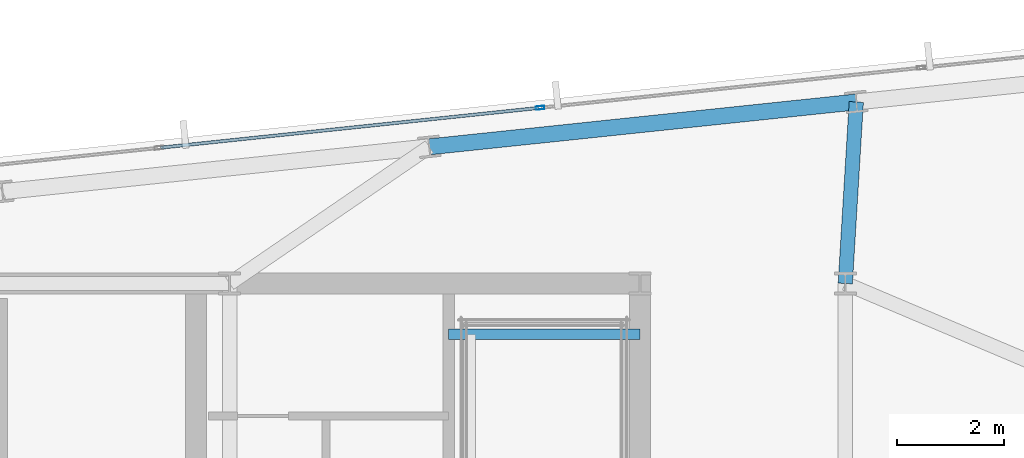
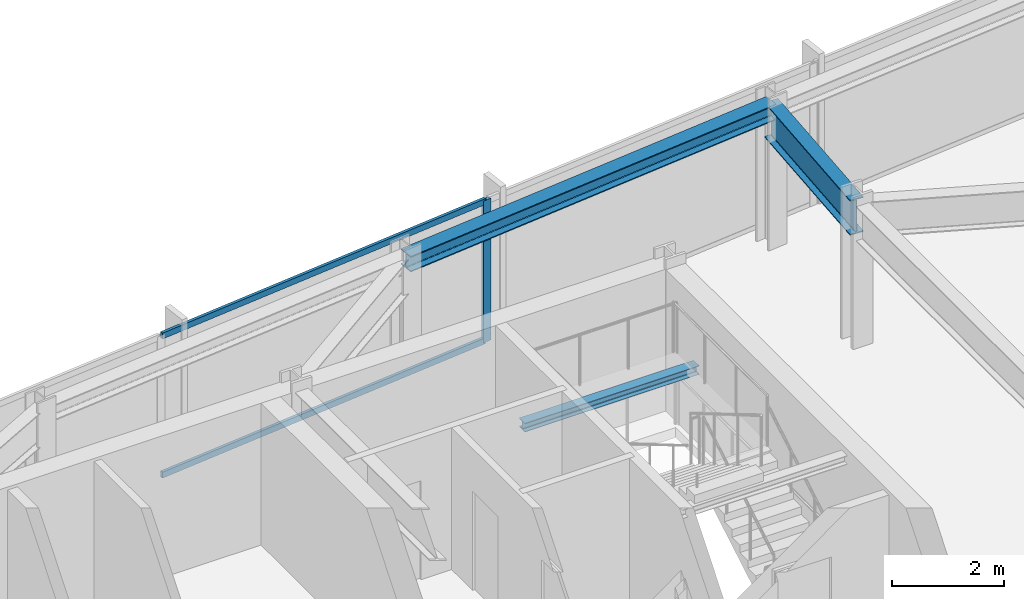
# One storey, part 23 of 32: 3 beams, 3 members, 1 element without a shape of its own.
"""IFC4 building model written with IfcOpenShell, lengths in metres."""

from ifc_helpers import new_model, si_unit, direction, frame, origin, origin_2d, place, context, subcontext, project, spatial, hollow_rectangle, i_section, extrude, material, material_profile, profile_set, type_object, element, aggregate, save


model = new_model("IFC4")

# Units and contexts
model_context = context("Model", 3, precision=1e-05, world=origin(), true_north=direction((0.0, 1.0)))
body_context = subcontext(model_context, "Body", "Model", "MODEL_VIEW")
ifc_project = project(units=[si_unit("LENGTHUNIT", "METRE"), si_unit("AREAUNIT", "SQUARE_METRE"), si_unit("VOLUMEUNIT", "CUBIC_METRE"), si_unit("PLANEANGLEUNIT", "RADIAN"), si_unit("MASSUNIT", "GRAM", prefix="KILO")], contexts=[model_context])

# Site, building, storey
site_placement = place(None, origin())
site = spatial("IfcSite", under=ifc_project, at=site_placement, CompositionType="ELEMENT")
building_placement = place(site_placement, origin())
building = spatial("IfcBuilding", under=site, at=building_placement, Name="Yelkora Congress Tower", CompositionType="ELEMENT")
storey_placement = place(building_placement, frame((0.0, 0.0, 217.699951171875)))
storey = spatial("IfcBuildingStorey", under=building, at=storey_placement, Name="L60", CompositionType="ELEMENT", Elevation=217.699951171875)

# Beams
ifc_material_1 = material(Name="Steel S355J2", Category="steel")
ifc_material_profile_1 = material_profile(ifc_material_1, i_section(OverallWidth=0.26708984375, OverallDepth=0.761962890625, WebThickness=0.014404296875, FlangeThickness=0.021484375, FilletRadius=0.01708984375, at=origin_2d()), Name="IPE 750x173")
ifc_profile_set_1 = profile_set([ifc_material_profile_1], Name="Steel S355J2")
beam_type_1 = type_object("IfcBeamType", Name="BM-GIRD-IPE750", PredefinedType="BEAM", material=ifc_profile_set_1)
beam_1_placement = place(storey_placement, frame((57.806640625, 49.5966796875, 2.698974609375), z_axis=(-0.060694337224, -0.998156399283, 0.0), x_axis=(0.998156399283, -0.060694337224, 0.0)))
element("IfcBeam", 1, at=beam_1_placement, inside=storey, type_object=beam_type_1, Name="L60 Primary Frame Girder N06", PredefinedType="BEAM", context=body_context, shape_type="SweptSolid", body=[
    extrude(i_section(OverallWidth=0.26708984375, OverallDepth=0.761962890625, WebThickness=0.014404296875, FlangeThickness=0.021484375, FilletRadius=0.01708984375, at=origin_2d()), origin(), (0.0, 0.0, 1.0), 3.403076171875),
])
ifc_material_profile_2 = material_profile(ifc_material_1, i_section(OverallWidth=0.199951171875, OverallDepth=0.18994140625, WebThickness=0.006591796875, FlangeThickness=0.010009765625, FilletRadius=0.01806640625, at=origin_2d()), Name="HEA 200")
ifc_profile_set_2 = profile_set([ifc_material_profile_2], Name="Steel S355J2")
beam_type_2 = type_object("IfcBeamType", Name="BM-LAND-HEA200", PredefinedType="BEAM", material=ifc_profile_set_2)
beam_2_placement = place(storey_placement, frame((50.179931640625, 45.25, 1.334716796875), z_axis=(1.0, 0.0, 0.0), x_axis=(0.0, 1.0, 0.0)))
element("IfcBeam", 2, at=beam_2_placement, inside=storey, type_object=beam_type_2, Name="ST-02 L60 Landing Header Beam 1N", PredefinedType="BEAM", context=body_context, shape_type="SweptSolid", body=[
    extrude(i_section(OverallWidth=0.199951171875, OverallDepth=0.18994140625, WebThickness=0.006591796875, FlangeThickness=0.010009765625, FilletRadius=0.01806640625, at=origin_2d()), origin(), (0.0, 0.0, 1.0), 3.580078125),
])
ifc_material_profile_3 = material_profile(ifc_material_1, i_section(OverallWidth=0.300048828125, OverallDepth=0.340087890625, WebThickness=0.011962890625, FlangeThickness=0.021484375, FilletRadius=0.027099609375, at=origin_2d()), Name="HEB 340")
ifc_profile_set_3 = profile_set([ifc_material_profile_3], Name="Steel S355J2")
beam_type_3 = type_object("IfcBeamType", Name="BM-SPAN-HEB340", PredefinedType="SPANDREL", material=ifc_profile_set_3)
beam_3_placement = place(storey_placement, frame((57.806640625, 49.5966796875, 2.91015625), z_axis=(-0.994523256947, -0.104515507904, 0.0), x_axis=(0.104515507904, -0.994523256947, 0.0)))
element("IfcBeam", 3, at=beam_3_placement, inside=storey, type_object=beam_type_3, Name="L60 Perimeter Beam 14", PredefinedType="SPANDREL", context=body_context, shape_type="SweptSolid", body=[
    extrude(i_section(OverallWidth=0.300048828125, OverallDepth=0.340087890625, WebThickness=0.011962890625, FlangeThickness=0.021484375, FilletRadius=0.027099609375, at=origin_2d()), origin(), (0.0, 0.0, 1.0), 8.033203125),
])

# Curtain wall, members
ifc_material_2 = material(Name="Anodised aluminium and insulated glass", Category="aluminium")
curtain_wall_type = type_object("IfcCurtainWallType", Name="CW-SYS-B4", PredefinedType="NOTDEFINED", material=ifc_material_2)
curtain_wall_placement = place(storey_placement, origin())
curtain_wall = element("IfcCurtainWall", 4, at=curtain_wall_placement, inside=storey, type_object=curtain_wall_type, Name="L60 Unitised Curtain Wall 10 (3)", PredefinedType="NOTDEFINED")
ifc_material_3 = material(Name="Anodised aluminium 6063-T6", Category="aluminium")
ifc_material_profile_4 = material_profile(ifc_material_3, hollow_rectangle(XDim=0.06494140625, YDim=0.159912109375, WallThickness=0.00390625, at=origin_2d()), Name="ALU 65x160x4")
ifc_profile_set_4 = profile_set([ifc_material_profile_4], Name="Anodised aluminium 6063-T6")
member_type_1 = type_object("IfcMemberType", Name="MEM-ML-B4", PredefinedType="MULLION", material=ifc_profile_set_4)
member_1_placement = place(storey_placement, frame((51.888916015625, 49.487548828125, 0.0), z_axis=(0.0, 0.0, 1.0), x_axis=(-0.104527724021, 0.994521973066, 0.0)))
member_1 = element("IfcMember", 5, at=member_1_placement, type_object=member_type_1, Name="CW-B4 mullion 5", PredefinedType="MULLION", context=body_context, shape_type="SweptSolid", body=[
    extrude(hollow_rectangle(XDim=0.06494140625, YDim=0.159912109375, WallThickness=0.00390625, at=origin_2d()), origin(), (0.0, 0.0, 1.0), 3.080078125),
])
ifc_material_profile_5 = material_profile(ifc_material_3, hollow_rectangle(XDim=0.06005859375, YDim=0.1298828125, WallThickness=0.00390625, at=origin_2d()), Name="ALU 60x130x4")
ifc_profile_set_5 = profile_set([ifc_material_profile_5], Name="Anodised aluminium 6063-T6")
member_type_2 = type_object("IfcMemberType", Name="MEM-TR-B4", PredefinedType="USERDEFINED", material=ifc_profile_set_5)
member_2_placement = place(storey_placement, frame((44.79052734375, 48.74169921875, 0.030029296875), z_axis=(0.99452200925, 0.104527379751, 0.0), x_axis=(-0.104527379751, 0.99452200925, 0.0)))
member_2 = element("IfcMember", 6, at=member_2_placement, type_object=member_type_2, Name="CW-B4 transom 4.1", ObjectType="TRANSOM", PredefinedType="USERDEFINED", context=body_context, shape_type="SweptSolid", body=[
    extrude(hollow_rectangle(XDim=0.06005859375, YDim=0.1298828125, WallThickness=0.00390625, at=origin_2d()), origin(), (0.0, 0.0, 1.0), 7.10498046875),
])
member_3_placement = place(storey_placement, frame((44.79052734375, 48.74169921875, 3.050048828125), z_axis=(0.99452200925, 0.104527379751, 0.0), x_axis=(-0.104527379751, 0.99452200925, 0.0)))
member_3 = element("IfcMember", 7, at=member_3_placement, type_object=member_type_2, Name="CW-B4 transom 4.2", ObjectType="TRANSOM", PredefinedType="USERDEFINED", context=body_context, shape_type="SweptSolid", body=[
    extrude(hollow_rectangle(XDim=0.06005859375, YDim=0.1298828125, WallThickness=0.00390625, at=origin_2d()), origin(), (0.0, 0.0, 1.0), 7.10498046875),
])
aggregate(curtain_wall, [member_1, member_2, member_3])

save(model, "model.ifc")
